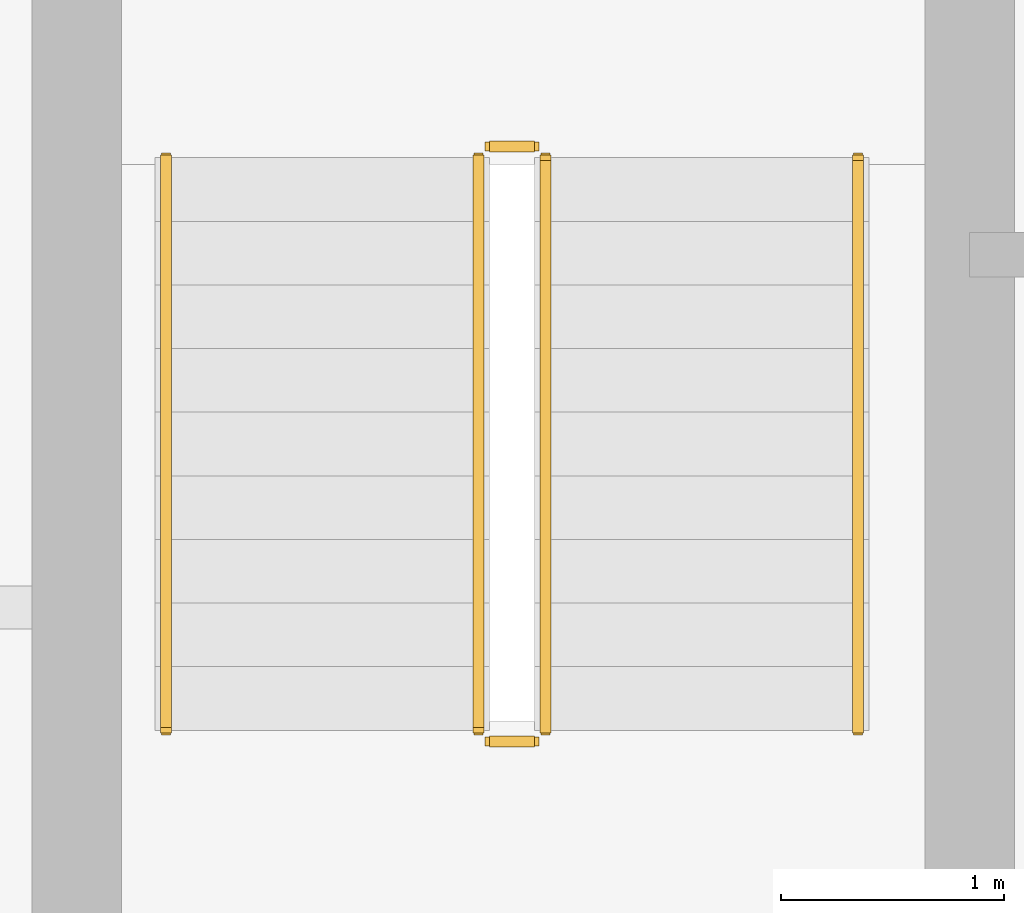
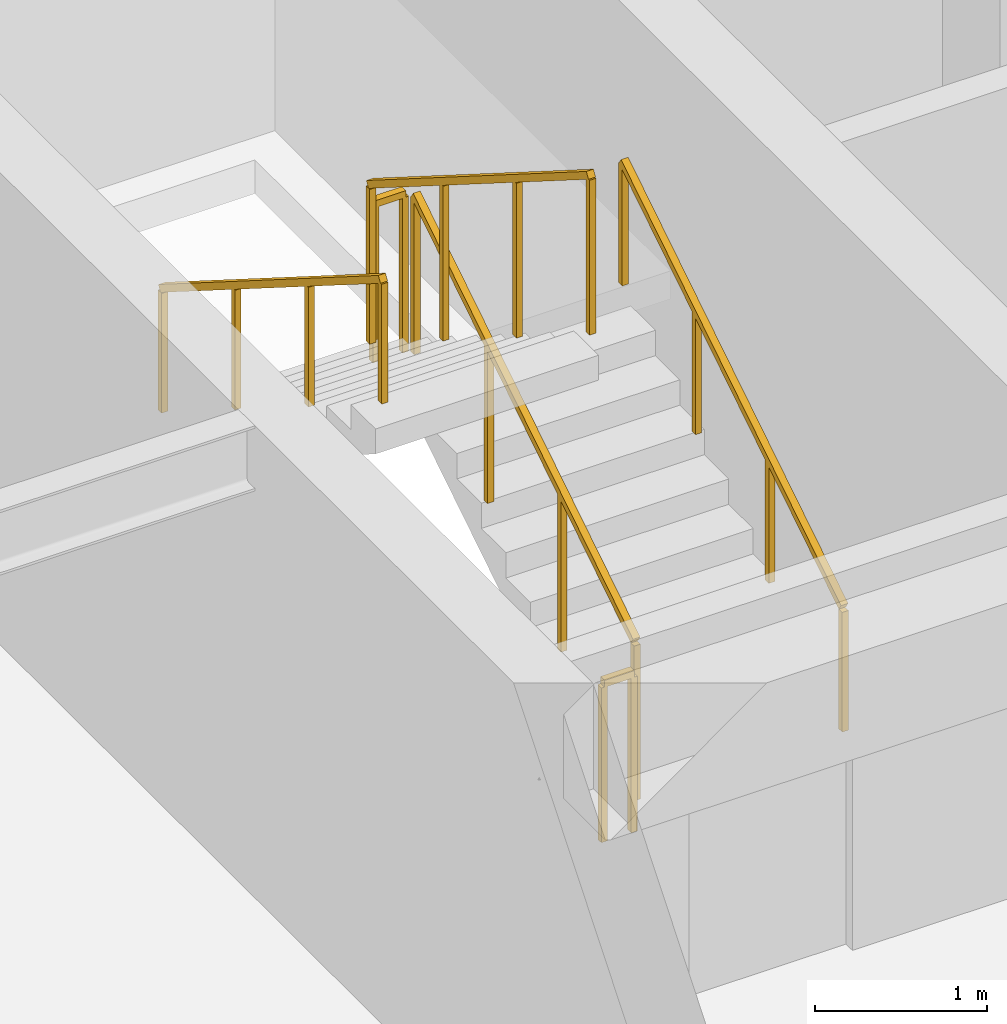
# One storey, part 20 of 22: 6 railings.
"""IFC4 building model written with IfcOpenShell, lengths in metres."""

from ifc_helpers import new_model, si_unit, direction, frame, origin, origin_2d, place, context, subcontext, project, spatial, rectangle, extrude, material, type_object, element, save


model = new_model("IFC4")

# Units and contexts
model_context = context("Model", 3, precision=1e-05, world=origin(), true_north=direction((0.0, 1.0)))
body_context = subcontext(model_context, "Body", "Model", "MODEL_VIEW")
ifc_project = project(units=[si_unit("LENGTHUNIT", "METRE"), si_unit("AREAUNIT", "SQUARE_METRE"), si_unit("VOLUMEUNIT", "CUBIC_METRE"), si_unit("PLANEANGLEUNIT", "RADIAN"), si_unit("MASSUNIT", "GRAM", prefix="KILO")], contexts=[model_context])

# Site, building, storey
site_placement = place(None, origin())
site = spatial("IfcSite", under=ifc_project, at=site_placement, CompositionType="ELEMENT")
building_placement = place(site_placement, origin())
building = spatial("IfcBuilding", under=site, at=building_placement, Name="Sarneth Arch Tower", CompositionType="ELEMENT")
storey_placement = place(building_placement, frame((0.0, 0.0, 213.60009765625)))
storey = spatial("IfcBuildingStorey", under=building, at=storey_placement, Name="L54", CompositionType="ELEMENT", Elevation=213.60009765625)

# Railings
ifc_material_1 = material(Name="Brushed Stainless Steel 304 tubular handrail", Category="steel")
railing_type_1 = type_object("IfcRailingType", Name="RAIL-HANDRAIL-900", PredefinedType="HANDRAIL", material=ifc_material_1)
railing_1_placement = place(storey_placement, frame((40.5, 41.449951171875, 0.179931640625)))
element("IfcRailing", 1, at=railing_1_placement, inside=storey, type_object=railing_type_1, Name="L54 ST-1 stair handrail 1", PredefinedType="HANDRAIL", context=body_context, shape_type="SweptSolid", body=[
    extrude(rectangle(XDim=0.048095703125, YDim=0.048095703125, at=origin_2d()), frame((0.0, 0.0, 0.8759765625), z_axis=(0.0, 0.845502289212, 0.533971796014), x_axis=(-1.0, 0.0, 0.0)), (0.0, 0.0, 1.0), 3.03369140625),
    extrude(rectangle(XDim=0.0419921875, YDim=0.0419921875, at=origin_2d()), origin(), (0.0, 0.0, 1.0), 0.851806640625),
    extrude(rectangle(XDim=0.0419921875, YDim=0.0419921875, at=origin_2d()), frame((0.0, 0.85498046875, 0.5400390625)), (0.0, 0.0, 1.0), 0.851806640625),
    extrude(rectangle(XDim=0.0419921875, YDim=0.0419921875, at=origin_2d()), frame((0.0, 1.7099609375, 1.079833984375)), (0.0, 0.0, 1.0), 0.851806640625),
    extrude(rectangle(XDim=0.0419921875, YDim=0.0419921875, at=origin_2d()), frame((0.0, 2.56494140625, 1.619873046875)), (0.0, 0.0, 1.0), 0.851806640625),
])
railing_2_placement = place(storey_placement, frame((37.39990234375, 44.014892578125, 1.97998046875)))
element("IfcRailing", 2, at=railing_2_placement, inside=storey, type_object=railing_type_1, Name="L54 ST-1 stair handrail 2", PredefinedType="HANDRAIL", context=body_context, shape_type="SweptSolid", body=[
    extrude(rectangle(XDim=0.048095703125, YDim=0.048095703125, at=origin_2d()), frame((0.0, 0.0, 0.8759765625), z_axis=(0.0, -0.845502289212, 0.533971796014), x_axis=(1.0, 0.0, 0.0)), (0.0, 0.0, 1.0), 3.03369140625),
    extrude(rectangle(XDim=0.0419921875, YDim=0.0419921875, at=origin_2d()), origin(), (0.0, 0.0, 1.0), 0.851806640625),
    extrude(rectangle(XDim=0.0419921875, YDim=0.0419921875, at=origin_2d()), frame((0.0, -0.85498046875, 0.5400390625)), (0.0, 0.0, 1.0), 0.851806640625),
    extrude(rectangle(XDim=0.0419921875, YDim=0.0419921875, at=origin_2d()), frame((0.0, -1.7099609375, 1.079833984375)), (0.0, 0.0, 1.0), 0.851806640625),
    extrude(rectangle(XDim=0.0419921875, YDim=0.0419921875, at=origin_2d()), frame((0.0, -2.56494140625, 1.619873046875)), (0.0, 0.0, 1.0), 0.851806640625),
])
ifc_material_2 = material(Name="Painted Steel S275 stair well guard", Category="steel")
railing_type_2 = type_object("IfcRailingType", Name="RAIL-STAIR-GUARD", PredefinedType="GUARDRAIL", material=ifc_material_2)
railing_3_placement = place(storey_placement, frame((39.10009765625, 41.449951171875, 0.179931640625)))
element("IfcRailing", 3, at=railing_3_placement, inside=storey, type_object=railing_type_2, Name="L54 ST-1 stair guard 1", PredefinedType="GUARDRAIL", context=body_context, shape_type="SweptSolid", body=[
    extrude(rectangle(XDim=0.048095703125, YDim=0.048095703125, at=origin_2d()), frame((0.0, 0.0, 1.1259765625), z_axis=(0.0, 0.845502289212, 0.533971796014), x_axis=(-1.0, 0.0, 0.0)), (0.0, 0.0, 1.0), 3.03369140625),
    extrude(rectangle(XDim=0.0419921875, YDim=0.0419921875, at=origin_2d()), origin(), (0.0, 0.0, 1.0), 1.101806640625),
    extrude(rectangle(XDim=0.0419921875, YDim=0.0419921875, at=origin_2d()), frame((0.0, 0.85498046875, 0.5400390625)), (0.0, 0.0, 1.0), 1.101806640625),
    extrude(rectangle(XDim=0.0419921875, YDim=0.0419921875, at=origin_2d()), frame((0.0, 1.7099609375, 1.079833984375)), (0.0, 0.0, 1.0), 1.101806640625),
    extrude(rectangle(XDim=0.0419921875, YDim=0.0419921875, at=origin_2d()), frame((0.0, 2.56494140625, 1.619873046875)), (0.0, 0.0, 1.0), 1.101806640625),
])
railing_4_placement = place(storey_placement, frame((39.050048828125, 44.06494140625, 1.7998046875)))
element("IfcRailing", 4, at=railing_4_placement, inside=storey, type_object=railing_type_2, Name="L54 ST-1 stair guard 2", PredefinedType="GUARDRAIL", context=body_context, shape_type="SweptSolid", body=[
    extrude(rectangle(XDim=0.048095703125, YDim=0.048095703125, at=origin_2d()), frame((0.0, 0.0, 1.1259765625), z_axis=(-1.0, 0.0, 0.0), x_axis=(0.0, -1.0, 0.0)), (0.0, 0.0, 1.0), 0.199951171875),
    extrude(rectangle(XDim=0.0419921875, YDim=0.0419921875, at=origin_2d()), origin(), (0.0, 0.0, 1.0), 1.101806640625),
    extrude(rectangle(XDim=0.0419921875, YDim=0.0419921875, at=origin_2d()), frame((-0.199951171875, 0.0, 0.0)), (0.0, 0.0, 1.0), 1.101806640625),
])
railing_5_placement = place(storey_placement, frame((38.800048828125, 44.014892578125, 1.97998046875)))
element("IfcRailing", 5, at=railing_5_placement, inside=storey, type_object=railing_type_2, Name="L54 ST-1 stair guard 3", PredefinedType="GUARDRAIL", context=body_context, shape_type="SweptSolid", body=[
    extrude(rectangle(XDim=0.048095703125, YDim=0.048095703125, at=origin_2d()), frame((0.0, 0.0, 1.1259765625), z_axis=(0.0, -0.845502289212, 0.533971796014), x_axis=(1.0, 0.0, 0.0)), (0.0, 0.0, 1.0), 3.03369140625),
    extrude(rectangle(XDim=0.0419921875, YDim=0.0419921875, at=origin_2d()), origin(), (0.0, 0.0, 1.0), 1.101806640625),
    extrude(rectangle(XDim=0.0419921875, YDim=0.0419921875, at=origin_2d()), frame((0.0, -0.85498046875, 0.5400390625)), (0.0, 0.0, 1.0), 1.101806640625),
    extrude(rectangle(XDim=0.0419921875, YDim=0.0419921875, at=origin_2d()), frame((0.0, -1.7099609375, 1.079833984375)), (0.0, 0.0, 1.0), 1.101806640625),
    extrude(rectangle(XDim=0.0419921875, YDim=0.0419921875, at=origin_2d()), frame((0.0, -2.56494140625, 1.619873046875)), (0.0, 0.0, 1.0), 1.101806640625),
])
railing_6_placement = place(storey_placement, frame((39.050048828125, 41.39990234375, 0.0)))
element("IfcRailing", 6, at=railing_6_placement, inside=storey, type_object=railing_type_2, Name="L54 ST-1 stair guard 4", PredefinedType="GUARDRAIL", context=body_context, shape_type="SweptSolid", body=[
    extrude(rectangle(XDim=0.048095703125, YDim=0.048095703125, at=origin_2d()), frame((0.0, 0.0, 1.1259765625), z_axis=(-1.0, 0.0, 0.0), x_axis=(0.0, -1.0, 0.0)), (0.0, 0.0, 1.0), 0.199951171875),
    extrude(rectangle(XDim=0.0419921875, YDim=0.0419921875, at=origin_2d()), origin(), (0.0, 0.0, 1.0), 1.101806640625),
    extrude(rectangle(XDim=0.0419921875, YDim=0.0419921875, at=origin_2d()), frame((-0.199951171875, 0.0, 0.0)), (0.0, 0.0, 1.0), 1.101806640625),
])

save(model, "model.ifc")
